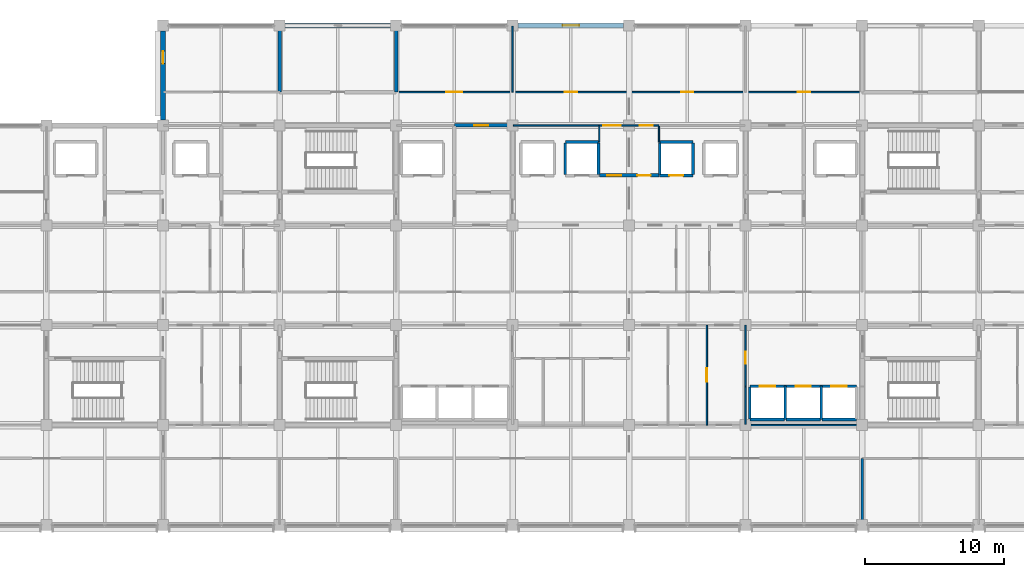
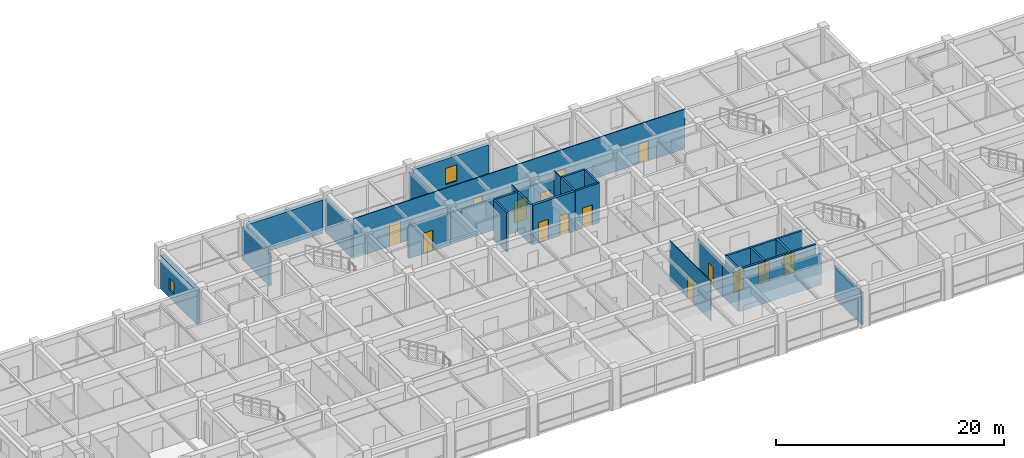
# One storey, part 21 of 30: 32 walls, 15 doors, 2 windows, 17 openings.
"""IFC4 building model written with IfcOpenShell, lengths in metres."""

from ifc_helpers import new_model, si_unit, direction, frame, frame_2d, origin, place, context, subcontext, project, spatial, rectangle, extrude, material, layer, layer_set, type_object, element, fill, save


model = new_model("IFC4")

# Units and contexts
model_context = context("Model", 3, precision=1e-05, world=origin(), true_north=direction((0.0, 1.0)))
body_context = subcontext(model_context, "Body", "Model", "MODEL_VIEW")
ifc_project = project(units=[si_unit("LENGTHUNIT", "METRE"), si_unit("AREAUNIT", "SQUARE_METRE"), si_unit("VOLUMEUNIT", "CUBIC_METRE"), si_unit("PLANEANGLEUNIT", "RADIAN"), si_unit("MASSUNIT", "GRAM", prefix="KILO")], contexts=[model_context])

# Site, building, storey
site_placement = place(None, origin())
site = spatial("IfcSite", under=ifc_project, at=site_placement, CompositionType="ELEMENT")
building_placement = place(site_placement, origin())
building = spatial("IfcBuilding", under=site, at=building_placement, Name="Chengyuan Square Courthouse", CompositionType="ELEMENT")
storey_placement = place(building_placement, frame((0.0, 0.0, 30.60009765625)))
storey = spatial("IfcBuildingStorey", under=building, at=storey_placement, Name="L07", CompositionType="ELEMENT", Elevation=30.60009765625)

# Wall, opening, window
ifc_material_1 = material(Name="Concrete C40", Category="concrete")
ifc_layer_1 = layer(ifc_material_1, 0.35009765625)
ifc_layer_set_1 = layer_set([ifc_layer_1], Name="Concrete C40")
wall_type_1 = type_object("IfcWallType", Name="WL-EW2", PredefinedType="STANDARD", material=ifc_layer_set_1)
wall_1_placement = place(storey_placement, frame((50.39990234375, 108.39501953125, 0.0), z_axis=(0.0, 0.0, 1.0), x_axis=(0.0, 1.0, 0.0)))
wall_1 = element("IfcWall", 1, at=wall_1_placement, inside=storey, type_object=wall_type_1, Name="Exterior Wall WL-L07-E382", PredefinedType="STANDARD", context=body_context, shape_type="SweptSolid", body=[
    extrude(rectangle(XDim=6.409912109375, YDim=0.35009765625, at=frame_2d((3.205078125, 0.0))), origin(), (0.0, 0.0, 1.0), 3.58984375),
])
opening_1_placement = place(wall_1_placement, frame((4.054931640625, 0.0, 0.85009765625)))
opening_1 = element("IfcOpeningElement", 2, at=opening_1_placement, cuts=wall_1, Name="Opening WN-143", PredefinedType="OPENING", context=body_context, shape_type="SweptSolid", body=[
    extrude(rectangle(XDim=0.89990234375, YDim=1.199951171875, at=frame_2d((0.449951171875, 0.60009765625))), frame((0.0, 0.18701171875, 0.0), z_axis=(0.0, -1.0, 0.0), x_axis=(1.0, 0.0, 0.0)), (0.0, 0.0, 1.0), 0.3740234375),
])
ifc_material_2 = material(Name="Thermally Broken Aluminium Triple Low-E Window", Category="aluminium")
window_type_1 = type_object("IfcWindowType", Name="WT-01", PartitioningType="SINGLE_PANEL", PredefinedType="WINDOW", material=ifc_material_2)
window_1_placement = place(opening_1_placement, origin())
window_1 = element("IfcWindow", 3, at=window_1_placement, inside=storey, type_object=window_type_1, Name="Facade Window WN-143", OverallHeight=1.199951171875, OverallWidth=0.89990234375, PartitioningType="SINGLE_PANEL", PredefinedType="WINDOW", context=body_context, shape_type="SweptSolid", body=[
    extrude(rectangle(XDim=0.89990234375, YDim=1.199951171875, at=frame_2d((0.449951171875, 0.60009765625))), frame((0.0, 0.030029296875, 0.0), z_axis=(0.0, -1.0, 0.0), x_axis=(1.0, 0.0, 0.0)), (0.0, 0.0, 1.0), 0.06005859375),
])
fill(opening_1, window_1)

# Wall
wall_2_placement = place(storey_placement, frame((59.195068359375, 115.199951171875, 0.0), z_axis=(0.0, 0.0, 1.0), x_axis=(1.0, 0.0, 0.0)))
element("IfcWall", 4, at=wall_2_placement, inside=storey, type_object=wall_type_1, Name="Exterior Wall WL-L07-E383", PredefinedType="STANDARD", context=body_context, shape_type="SweptSolid", body=[
    extrude(rectangle(XDim=7.60986328125, YDim=0.35009765625, at=frame_2d((3.804931640625, 0.0))), origin(), (0.0, 0.0, 1.0), 3.58984375),
])

# Wall, opening, window
wall_3_placement = place(storey_placement, frame((75.9951171875, 115.199951171875, 0.0), z_axis=(0.0, 0.0, 1.0), x_axis=(1.0, 0.0, 0.0)))
wall_3 = element("IfcWall", 5, at=wall_3_placement, inside=storey, type_object=wall_type_1, Name="Exterior Wall WL-L07-E384", PredefinedType="STANDARD", context=body_context, shape_type="SweptSolid", body=[
    extrude(rectangle(XDim=7.60986328125, YDim=0.35009765625, at=frame_2d((3.804931640625, 0.0))), origin(), (0.0, 0.0, 1.0), 3.58984375),
])
opening_2_placement = place(wall_3_placement, frame((3.205078125, 0.0, 0.85009765625)))
opening_2 = element("IfcOpeningElement", 6, at=opening_2_placement, cuts=wall_3, Name="Opening WN-144", PredefinedType="OPENING", context=body_context, shape_type="SweptSolid", body=[
    extrude(rectangle(XDim=1.199951171875, YDim=1.739990234375, at=frame_2d((0.60009765625, 0.8701171875))), frame((0.0, 0.18701171875, 0.0), z_axis=(0.0, -1.0, 0.0), x_axis=(1.0, 0.0, 0.0)), (0.0, 0.0, 1.0), 0.3740234375),
])
window_type_2 = type_object("IfcWindowType", Name="WT-16", PartitioningType="SINGLE_PANEL", PredefinedType="WINDOW", material=ifc_material_2)
window_2_placement = place(opening_2_placement, origin())
window_2 = element("IfcWindow", 7, at=window_2_placement, inside=storey, type_object=window_type_2, Name="Facade Window WN-144", OverallHeight=1.739990234375, OverallWidth=1.199951171875, PartitioningType="SINGLE_PANEL", PredefinedType="WINDOW", context=body_context, shape_type="SweptSolid", body=[
    extrude(rectangle(XDim=1.199951171875, YDim=1.739990234375, at=frame_2d((0.60009765625, 0.8701171875))), frame((0.0, 0.030029296875, 0.0), z_axis=(0.0, -1.0, 0.0), x_axis=(1.0, 0.0, 0.0)), (0.0, 0.0, 1.0), 0.06005859375),
])
fill(opening_2, window_2)

# Wall, openings, doors
ifc_layer_2 = layer(ifc_material_1, 0.25)
ifc_layer_set_2 = layer_set([ifc_layer_2], Name="Concrete C40")
wall_type_2 = type_object("IfcWallType", Name="WL-FW1", PredefinedType="STANDARD", material=ifc_layer_set_2)
wall_4_placement = place(storey_placement, frame((81.85009765625, 104.39990234375, 0.0), z_axis=(0.0, 0.0, 1.0), x_axis=(1.0, 0.0, 0.0)))
wall_4 = element("IfcWall", 8, at=wall_4_placement, inside=storey, type_object=wall_type_2, Name="Interior Wall WL-L07-I2702", PredefinedType="STANDARD", context=body_context, shape_type="SweptSolid", body=[
    extrude(rectangle(XDim=4.2998046875, YDim=0.25, at=frame_2d((2.14990234375, 0.0))), origin(), (0.0, 0.0, 1.0), 4.239990234375),
])
opening_3_placement = place(wall_4_placement, frame((0.574951171875, 0.0, 0.0)))
opening_3 = element("IfcOpeningElement", 9, at=opening_3_placement, cuts=wall_4, Name="Opening DR-2349", PredefinedType="OPENING", context=body_context, shape_type="SweptSolid", body=[
    extrude(rectangle(XDim=1.0, YDim=2.199951171875, at=frame_2d((0.5, 1.10009765625))), frame((0.0, 0.136962890625, 0.0), z_axis=(0.0, -1.0, 0.0), x_axis=(1.0, 0.0, 0.0)), (0.0, 0.0, 1.0), 0.27392578125),
])
opening_4_placement = place(wall_4_placement, frame((2.75, 0.0, 0.0)))
opening_4 = element("IfcOpeningElement", 10, at=opening_4_placement, cuts=wall_4, Name="Opening DR-2353", PredefinedType="OPENING", context=body_context, shape_type="SweptSolid", body=[
    extrude(rectangle(XDim=0.949951171875, YDim=2.14990234375, at=frame_2d((0.47509765625, 1.074951171875))), frame((0.0, 0.136962890625, 0.0), z_axis=(0.0, -1.0, 0.0), x_axis=(1.0, 0.0, 0.0)), (0.0, 0.0, 1.0), 0.27392578125),
])
ifc_material_3 = material(Name="Steel Q235B Fire Door", Category="steel")
door_type_1 = type_object("IfcDoorType", Name="DT-11", OperationType="NOTDEFINED", PredefinedType="DOOR", material=ifc_material_3)
door_1_placement = place(opening_3_placement, origin())
door_1 = element("IfcDoor", 11, at=door_1_placement, inside=storey, type_object=door_type_1, Name="Interior Door DR-2349", OperationType="SINGLE_SWING_LEFT", OverallHeight=2.199951171875, OverallWidth=1.0, PredefinedType="DOOR", context=body_context, shape_type="SweptSolid", body=[
    extrude(rectangle(XDim=1.0, YDim=2.199951171875, at=frame_2d((0.5, 1.10009765625))), frame((0.0, 0.02490234375, 0.0), z_axis=(0.0, -1.0, 0.0), x_axis=(1.0, 0.0, 0.0)), (0.0, 0.0, 1.0), 0.050048828125),
])
fill(opening_3, door_1)
door_type_2 = type_object("IfcDoorType", Name="DT-12", OperationType="NOTDEFINED", PredefinedType="DOOR", material=ifc_material_3)
door_2_placement = place(opening_4_placement, origin())
door_2 = element("IfcDoor", 12, at=door_2_placement, inside=storey, type_object=door_type_2, Name="Interior Door DR-2353", OperationType="SINGLE_SWING_LEFT", OverallHeight=2.14990234375, OverallWidth=0.949951171875, PredefinedType="DOOR", context=body_context, shape_type="SweptSolid", body=[
    extrude(rectangle(XDim=0.949951171875, YDim=2.14990234375, at=frame_2d((0.47509765625, 1.074951171875))), frame((0.0, 0.02490234375, 0.0), z_axis=(0.0, -1.0, 0.0), x_axis=(1.0, 0.0, 0.0)), (0.0, 0.0, 1.0), 0.050048828125),
])
fill(opening_4, door_2)

# Wall, opening, door
wall_5_placement = place(storey_placement, frame((71.39990234375, 108.0, 0.0), z_axis=(0.0, 0.0, 1.0), x_axis=(1.0, 0.0, 0.0)))
wall_5 = element("IfcWall", 13, at=wall_5_placement, inside=storey, type_object=wall_type_2, Name="Interior Wall WL-L07-I2723", PredefinedType="STANDARD", context=body_context, shape_type="SweptSolid", body=[
    extrude(rectangle(XDim=4.2001953125, YDim=0.25, at=frame_2d((2.10009765625, 0.0))), origin(), (0.0, 0.0, 1.0), 3.389892578125),
])
opening_5_placement = place(wall_5_placement, frame((1.43994140625, 0.0, 0.0)))
opening_5 = element("IfcOpeningElement", 14, at=opening_5_placement, cuts=wall_5, Name="Opening DR-2331", PredefinedType="OPENING", context=body_context, shape_type="SweptSolid", body=[
    extrude(rectangle(XDim=1.0, YDim=2.199951171875, at=frame_2d((0.5, 1.10009765625))), frame((0.0, 0.136962890625, 0.0), z_axis=(0.0, -1.0, 0.0), x_axis=(1.0, 0.0, 0.0)), (0.0, 0.0, 1.0), 0.27392578125),
])
door_3_placement = place(opening_5_placement, origin())
door_3 = element("IfcDoor", 15, at=door_3_placement, inside=storey, type_object=door_type_1, Name="Interior Door DR-2331", OperationType="SINGLE_SWING_RIGHT", OverallHeight=2.199951171875, OverallWidth=1.0, PredefinedType="DOOR", context=body_context, shape_type="SweptSolid", body=[
    extrude(rectangle(XDim=1.0, YDim=2.199951171875, at=frame_2d((0.5, 1.10009765625))), frame((0.0, 0.02490234375, 0.0), z_axis=(0.0, -1.0, 0.0), x_axis=(1.0, 0.0, 0.0)), (0.0, 0.0, 1.0), 0.050048828125),
])
fill(opening_5, door_3)

# Walls
for number, where, z_axis, x_axis, name in (
    (16, (58.800048828125, 110.39990234375, 0.0), (0.0, 0.0, 1.0), (0.0, 1.0, 0.0), "Interior Wall WL-L07-I2772"),
    (17, (67.199951171875, 110.39990234375, 0.0), (0.0, 0.0, 1.0), (0.0, 1.0, 0.0), "Interior Wall WL-L07-I2781"),
):
    element("IfcWall", number, at=place(storey_placement, frame(where, z_axis=z_axis, x_axis=x_axis)), inside=storey, type_object=wall_type_2, Name=name, PredefinedType="STANDARD", context=body_context, shape_type="SweptSolid", body=[
        extrude(rectangle(XDim=4.760009765625, YDim=0.25, at=frame_2d((2.3798828125, 0.0))), origin(), (0.0, 0.0, 1.0), 3.489990234375),
    ])
ifc_material_4 = material(Name="Double-Stud Acoustic Gypsum Courtroom Partition")
ifc_layer_3 = layer(ifc_material_4, 0.179931640625)
ifc_layer_set_3 = layer_set([ifc_layer_3], Name="Double-Stud Acoustic Gypsum Courtroom Partition")
wall_type_3 = type_object("IfcWallType", Name="WL-PT1", PredefinedType="STANDARD", material=ifc_layer_set_3)
wall_6_placement = place(storey_placement, frame((100.800048828125, 79.239990234375, 0.0), z_axis=(0.0, 0.0, 1.0), x_axis=(0.0, 1.0, 0.0)))
element("IfcWall", 18, at=wall_6_placement, inside=storey, type_object=wall_type_3, Name="Interior Wall WL-L07-I2828", PredefinedType="STANDARD", context=body_context, shape_type="SweptSolid", body=[
    extrude(rectangle(XDim=4.760009765625, YDim=0.179931640625, at=frame_2d((2.3798828125, 0.0))), origin(), (0.0, 0.0, 1.0), 3.489990234375),
])
ifc_material_5 = material(Name="Gypsum Plasterboard Acoustic Stud Partition")
ifc_layer_4 = layer(ifc_material_5, 0.10009765625)
ifc_layer_set_4 = layer_set([ifc_layer_4], Name="Gypsum Plasterboard Acoustic Stud Partition")
wall_type_4 = type_object("IfcWallType", Name="WL-PT6", PredefinedType="STANDARD", material=ifc_layer_set_4)
wall_7_placement = place(storey_placement, frame((92.449951171875, 86.39990234375, 0.0), z_axis=(0.0, 0.0, 1.0), x_axis=(1.0, 0.0, 0.0)))
element("IfcWall", 19, at=wall_7_placement, inside=storey, type_object=wall_type_4, Name="Interior Wall WL-L07-I2630", PredefinedType="STANDARD", context=body_context, shape_type="SweptSolid", body=[
    extrude(rectangle(XDim=8.300048828125, YDim=0.10009765625, at=frame_2d((4.14990234375, 0.0))), origin(), (0.0, 0.0, 1.0), 3.389892578125),
])
wall_8_placement = place(storey_placement, frame((75.64990234375, 108.0, 0.0), z_axis=(0.0, 0.0, 1.0), x_axis=(1.0, 0.0, 0.0)))
element("IfcWall", 20, at=wall_8_placement, inside=storey, type_object=wall_type_4, Name="Interior Wall WL-L07-I2724", PredefinedType="STANDARD", context=body_context, shape_type="SweptSolid", body=[
    extrude(rectangle(XDim=6.150146484375, YDim=0.10009765625, at=frame_2d((3.0751953125, 0.0))), origin(), (0.0, 0.0, 1.0), 3.389892578125),
])

# Wall, openings, doors
wall_9_placement = place(storey_placement, frame((81.85009765625, 108.0, 0.0), z_axis=(0.0, 0.0, 1.0), x_axis=(1.0, 0.0, 0.0)))
wall_9 = element("IfcWall", 21, at=wall_9_placement, inside=storey, type_object=wall_type_4, Name="Interior Wall WL-L07-I2725", PredefinedType="STANDARD", context=body_context, shape_type="SweptSolid", body=[
    extrude(rectangle(XDim=4.2998046875, YDim=0.10009765625, at=frame_2d((2.14990234375, 0.0))), origin(), (0.0, 0.0, 1.0), 3.389892578125),
])
opening_6_placement = place(wall_9_placement, frame((0.27490234375, 0.0, 0.0)))
opening_6 = element("IfcOpeningElement", 22, at=opening_6_placement, cuts=wall_9, Name="Opening DR-2469", PredefinedType="OPENING", context=body_context, shape_type="SweptSolid", body=[
    extrude(rectangle(XDim=1.280029296875, YDim=2.35009765625, at=frame_2d((0.64013671875, 1.175048828125))), frame((0.0, 0.06201171875, 0.0), z_axis=(0.0, -1.0, 0.0), x_axis=(1.0, 0.0, 0.0)), (0.0, 0.0, 1.0), 0.1240234375),
])
opening_7_placement = place(wall_9_placement, frame((2.9150390625, 0.0, 0.0)))
opening_7 = element("IfcOpeningElement", 23, at=opening_7_placement, cuts=wall_9, Name="Opening DR-2470", PredefinedType="OPENING", context=body_context, shape_type="SweptSolid", body=[
    extrude(rectangle(XDim=0.93994140625, YDim=2.300048828125, at=frame_2d((0.469970703125, 1.14990234375))), frame((0.0, 0.06201171875, 0.0), z_axis=(0.0, -1.0, 0.0), x_axis=(1.0, 0.0, 0.0)), (0.0, 0.0, 1.0), 0.1240234375),
])
ifc_material_6 = material(Name="Acoustic Solid-Core Timber Door", Category="wood")
door_type_3 = type_object("IfcDoorType", Name="DT-38", OperationType="NOTDEFINED", PredefinedType="DOOR", material=ifc_material_6)
door_4_placement = place(opening_6_placement, origin())
door_4 = element("IfcDoor", 24, at=door_4_placement, inside=storey, type_object=door_type_3, Name="Interior Door DR-2469", OperationType="SINGLE_SWING_LEFT", OverallHeight=2.35009765625, OverallWidth=1.280029296875, PredefinedType="DOOR", context=body_context, shape_type="SweptSolid", body=[
    extrude(rectangle(XDim=1.280029296875, YDim=2.35009765625, at=frame_2d((0.64013671875, 1.175048828125))), frame((0.0, 0.02490234375, 0.0), z_axis=(0.0, -1.0, 0.0), x_axis=(1.0, 0.0, 0.0)), (0.0, 0.0, 1.0), 0.050048828125),
])
fill(opening_6, door_4)
door_type_4 = type_object("IfcDoorType", Name="DT-39", OperationType="NOTDEFINED", PredefinedType="DOOR", material=ifc_material_6)
door_5_placement = place(opening_7_placement, origin())
door_5 = element("IfcDoor", 25, at=door_5_placement, inside=storey, type_object=door_type_4, Name="Interior Door DR-2470", OperationType="SINGLE_SWING_RIGHT", OverallHeight=2.300048828125, OverallWidth=0.93994140625, PredefinedType="DOOR", context=body_context, shape_type="SweptSolid", body=[
    extrude(rectangle(XDim=0.93994140625, YDim=2.300048828125, at=frame_2d((0.469970703125, 1.14990234375))), frame((0.0, 0.02490234375, 0.0), z_axis=(0.0, -1.0, 0.0), x_axis=(1.0, 0.0, 0.0)), (0.0, 0.0, 1.0), 0.050048828125),
])
fill(opening_7, door_5)

wall_10_placement = place(storey_placement, frame((67.199951171875, 110.39990234375, 0.0), z_axis=(0.0, 0.0, 1.0), x_axis=(1.0, 0.0, 0.0)))
wall_10 = element("IfcWall", 26, at=wall_10_placement, inside=storey, type_object=wall_type_4, Name="Interior Wall WL-L07-I2734", PredefinedType="STANDARD", context=body_context, shape_type="SweptSolid", body=[
    extrude(rectangle(XDim=33.60009765625, YDim=0.10009765625, at=frame_2d((16.800048828125, 0.0))), origin(), (0.0, 0.0, 1.0), 4.239990234375),
])
opening_8_placement = place(wall_10_placement, frame((3.6298828125, 0.0, 0.0)))
opening_8 = element("IfcOpeningElement", 27, at=opening_8_placement, cuts=wall_10, Name="Opening DR-2474", PredefinedType="OPENING", context=body_context, shape_type="SweptSolid", body=[
    extrude(rectangle(XDim=1.139892578125, YDim=2.39990234375, at=frame_2d((0.56982421875, 1.199951171875))), frame((0.0, 0.06201171875, 0.0), z_axis=(0.0, -1.0, 0.0), x_axis=(1.0, 0.0, 0.0)), (0.0, 0.0, 1.0), 0.1240234375),
])
opening_9_placement = place(wall_10_placement, frame((12.14990234375, 0.0, 0.0)))
opening_9 = element("IfcOpeningElement", 28, at=opening_9_placement, cuts=wall_10, Name="Opening DR-2475", PredefinedType="OPENING", context=body_context, shape_type="SweptSolid", body=[
    extrude(rectangle(XDim=0.89990234375, YDim=2.14990234375, at=frame_2d((0.449951171875, 1.074951171875))), frame((0.0, 0.06201171875, 0.0), z_axis=(0.0, -1.0, 0.0), x_axis=(1.0, 0.0, 0.0)), (0.0, 0.0, 1.0), 0.1240234375),
])
opening_10_placement = place(wall_10_placement, frame((20.570068359375, 0.0, 0.0)))
opening_10 = element("IfcOpeningElement", 29, at=opening_10_placement, cuts=wall_10, Name="Opening DR-2476", PredefinedType="OPENING", context=body_context, shape_type="SweptSolid", body=[
    extrude(rectangle(XDim=0.860107421875, YDim=2.10009765625, at=frame_2d((0.43017578125, 1.050048828125))), frame((0.0, 0.06201171875, 0.0), z_axis=(0.0, -1.0, 0.0), x_axis=(1.0, 0.0, 0.0)), (0.0, 0.0, 1.0), 0.1240234375),
])
opening_11_placement = place(wall_10_placement, frame((28.93994140625, 0.0, 0.0)))
opening_11 = element("IfcOpeningElement", 30, at=opening_11_placement, cuts=wall_10, Name="Opening DR-2477", PredefinedType="OPENING", context=body_context, shape_type="SweptSolid", body=[
    extrude(rectangle(XDim=0.919921875, YDim=2.14990234375, at=frame_2d((0.4599609375, 1.074951171875))), frame((0.0, 0.06201171875, 0.0), z_axis=(0.0, -1.0, 0.0), x_axis=(1.0, 0.0, 0.0)), (0.0, 0.0, 1.0), 0.1240234375),
])
door_type_5 = type_object("IfcDoorType", Name="DT-27", OperationType="NOTDEFINED", PredefinedType="DOOR", material=ifc_material_6)
door_6_placement = place(opening_9_placement, origin())
door_6 = element("IfcDoor", 31, at=door_6_placement, inside=storey, type_object=door_type_5, Name="Interior Door DR-2475", OperationType="SINGLE_SWING_LEFT", OverallHeight=2.14990234375, OverallWidth=0.89990234375, PredefinedType="DOOR", context=body_context, shape_type="SweptSolid", body=[
    extrude(rectangle(XDim=0.89990234375, YDim=2.14990234375, at=frame_2d((0.449951171875, 1.074951171875))), frame((0.0, 0.02490234375, 0.0), z_axis=(0.0, -1.0, 0.0), x_axis=(1.0, 0.0, 0.0)), (0.0, 0.0, 1.0), 0.050048828125),
])
fill(opening_9, door_6)
door_type_6 = type_object("IfcDoorType", Name="DT-28", OperationType="NOTDEFINED", PredefinedType="DOOR", material=ifc_material_6)
door_7_placement = place(opening_10_placement, origin())
door_7 = element("IfcDoor", 32, at=door_7_placement, inside=storey, type_object=door_type_6, Name="Interior Door DR-2476", OperationType="SINGLE_SWING_RIGHT", OverallHeight=2.10009765625, OverallWidth=0.860107421875, PredefinedType="DOOR", context=body_context, shape_type="SweptSolid", body=[
    extrude(rectangle(XDim=0.860107421875, YDim=2.10009765625, at=frame_2d((0.43017578125, 1.050048828125))), frame((0.0, 0.02490234375, 0.0), z_axis=(0.0, -1.0, 0.0), x_axis=(1.0, 0.0, 0.0)), (0.0, 0.0, 1.0), 0.050048828125),
])
fill(opening_10, door_7)
door_type_7 = type_object("IfcDoorType", Name="DT-29", OperationType="NOTDEFINED", PredefinedType="DOOR", material=ifc_material_6)
door_8_placement = place(opening_11_placement, origin())
door_8 = element("IfcDoor", 33, at=door_8_placement, inside=storey, type_object=door_type_7, Name="Interior Door DR-2477", OperationType="SINGLE_SWING_LEFT", OverallHeight=2.14990234375, OverallWidth=0.919921875, PredefinedType="DOOR", context=body_context, shape_type="SweptSolid", body=[
    extrude(rectangle(XDim=0.919921875, YDim=2.14990234375, at=frame_2d((0.4599609375, 1.074951171875))), frame((0.0, 0.02490234375, 0.0), z_axis=(0.0, -1.0, 0.0), x_axis=(1.0, 0.0, 0.0)), (0.0, 0.0, 1.0), 0.050048828125),
])
fill(opening_11, door_8)
door_type_8 = type_object("IfcDoorType", Name="DT-43", OperationType="NOTDEFINED", PredefinedType="DOOR", material=ifc_material_6)
door_9_placement = place(opening_8_placement, origin())
door_9 = element("IfcDoor", 34, at=door_9_placement, inside=storey, type_object=door_type_8, Name="Interior Door DR-2474", OperationType="SINGLE_SWING_RIGHT", OverallHeight=2.39990234375, OverallWidth=1.139892578125, PredefinedType="DOOR", context=body_context, shape_type="SweptSolid", body=[
    extrude(rectangle(XDim=1.139892578125, YDim=2.39990234375, at=frame_2d((0.56982421875, 1.199951171875))), frame((0.0, 0.02490234375, 0.0), z_axis=(0.0, -1.0, 0.0), x_axis=(1.0, 0.0, 0.0)), (0.0, 0.0, 1.0), 0.050048828125),
])
fill(opening_8, door_9)

# Walls
wall_11_placement = place(storey_placement, frame((75.60009765625, 110.39990234375, 0.0), z_axis=(0.0, 0.0, 1.0), x_axis=(0.0, 1.0, 0.0)))
element("IfcWall", 35, at=wall_11_placement, inside=storey, type_object=wall_type_4, Name="Interior Wall WL-L07-I2796", PredefinedType="STANDARD", context=body_context, shape_type="SweptSolid", body=[
    extrude(rectangle(XDim=4.760009765625, YDim=0.10009765625, at=frame_2d((2.3798828125, 0.0))), origin(), (0.0, 0.0, 1.0), 3.489990234375),
])
for number, where, z_axis, x_axis, name in (
    (36, (81.85009765625, 106.800048828125, 0.0), (0.0, 0.0, 1.0), (0.0, 1.0, 0.0), "Interior Wall WL-L07-I2803"),
    (37, (86.14990234375, 106.800048828125, 0.0), (0.0, 0.0, 1.0), (0.0, 1.0, 0.0), "Interior Wall WL-L07-I2805"),
):
    element("IfcWall", number, at=place(storey_placement, frame(where, z_axis=z_axis, x_axis=x_axis)), inside=storey, type_object=wall_type_4, Name=name, PredefinedType="STANDARD", context=body_context, shape_type="SweptSolid", body=[
        extrude(rectangle(XDim=1.14990234375, YDim=0.10009765625, at=frame_2d((0.574951171875, 0.0))), origin(), (0.0, 0.0, 1.0), 4.239990234375),
    ])

# Wall, opening, door
wall_12_placement = place(storey_placement, frame((89.60009765625, 86.39990234375, 0.0), z_axis=(0.0, 0.0, 1.0), x_axis=(0.0, 1.0, 0.0)))
wall_12 = element("IfcWall", 38, at=wall_12_placement, inside=storey, type_object=wall_type_4, Name="Interior Wall WL-L07-I2811", PredefinedType="STANDARD", context=body_context, shape_type="SweptSolid", body=[
    extrude(rectangle(XDim=7.2001953125, YDim=0.10009765625, at=frame_2d((3.60009765625, 0.0))), origin(), (0.0, 0.0, 1.0), 4.239990234375),
])
opening_12_placement = place(wall_12_placement, frame((3.110107421875, 0.0, 0.0)))
opening_12 = element("IfcOpeningElement", 39, at=opening_12_placement, cuts=wall_12, Name="Opening DR-2454", PredefinedType="OPENING", context=body_context, shape_type="SweptSolid", body=[
    extrude(rectangle(XDim=0.97998046875, YDim=2.35009765625, at=frame_2d((0.489990234375, 1.175048828125))), frame((0.0, 0.06201171875, 0.0), z_axis=(0.0, -1.0, 0.0), x_axis=(1.0, 0.0, 0.0)), (0.0, 0.0, 1.0), 0.1240234375),
])
door_type_9 = type_object("IfcDoorType", Name="DT-40", OperationType="NOTDEFINED", PredefinedType="DOOR", material=ifc_material_6)
door_10_placement = place(opening_12_placement, origin())
door_10 = element("IfcDoor", 40, at=door_10_placement, inside=storey, type_object=door_type_9, Name="Interior Door DR-2454", OperationType="SINGLE_SWING_RIGHT", OverallHeight=2.35009765625, OverallWidth=0.97998046875, PredefinedType="DOOR", context=body_context, shape_type="SweptSolid", body=[
    extrude(rectangle(XDim=0.97998046875, YDim=2.35009765625, at=frame_2d((0.489990234375, 1.175048828125))), frame((0.0, 0.02490234375, 0.0), z_axis=(0.0, -1.0, 0.0), x_axis=(1.0, 0.0, 0.0)), (0.0, 0.0, 1.0), 0.050048828125),
])
fill(opening_12, door_10)

# Wall
wall_13_placement = place(storey_placement, frame((92.39990234375, 86.449951171875, 0.0), z_axis=(0.0, 0.0, 1.0), x_axis=(0.0, 1.0, 0.0)))
element("IfcWall", 41, at=wall_13_placement, inside=storey, type_object=wall_type_4, Name="Interior Wall WL-L07-I2814", PredefinedType="STANDARD", context=body_context, shape_type="SweptSolid", body=[
    extrude(rectangle(XDim=2.699951171875, YDim=0.10009765625, at=frame_2d((1.35009765625, 0.0))), origin(), (0.0, 0.0, 1.0), 3.489990234375),
])

# Wall, opening, door
wall_14_placement = place(storey_placement, frame((92.39990234375, 89.199951171875, 0.0), z_axis=(0.0, 0.0, 1.0), x_axis=(0.0, 1.0, 0.0)))
wall_14 = element("IfcWall", 42, at=wall_14_placement, inside=storey, type_object=wall_type_4, Name="Interior Wall WL-L07-I2815", PredefinedType="STANDARD", context=body_context, shape_type="SweptSolid", body=[
    extrude(rectangle(XDim=4.400146484375, YDim=0.10009765625, at=frame_2d((2.2001953125, 0.0))), origin(), (0.0, 0.0, 1.0), 3.489990234375),
])
opening_13_placement = place(wall_14_placement, frame((1.610107421875, 0.0, 0.0)))
opening_13 = element("IfcOpeningElement", 43, at=opening_13_placement, cuts=wall_14, Name="Opening DR-2357", PredefinedType="OPENING", context=body_context, shape_type="SweptSolid", body=[
    extrude(rectangle(XDim=0.860107421875, YDim=2.10009765625, at=frame_2d((0.43017578125, 1.050048828125))), frame((0.0, 0.06201171875, 0.0), z_axis=(0.0, -1.0, 0.0), x_axis=(1.0, 0.0, 0.0)), (0.0, 0.0, 1.0), 0.1240234375),
])
door_11_placement = place(opening_13_placement, origin())
door_11 = element("IfcDoor", 44, at=door_11_placement, inside=storey, type_object=door_type_6, Name="Interior Door DR-2357", OperationType="SINGLE_SWING_LEFT", OverallHeight=2.10009765625, OverallWidth=0.860107421875, PredefinedType="DOOR", context=body_context, shape_type="SweptSolid", body=[
    extrude(rectangle(XDim=0.860107421875, YDim=2.10009765625, at=frame_2d((0.43017578125, 1.050048828125))), frame((0.0, 0.02490234375, 0.0), z_axis=(0.0, -1.0, 0.0), x_axis=(1.0, 0.0, 0.0)), (0.0, 0.0, 1.0), 0.050048828125),
])
fill(opening_13, door_11)

# Walls
ifc_material_7 = material(Name="Reinforced Masonry Shaft Enclosure", Category="masonry")
ifc_layer_5 = layer(ifc_material_7, 0.199951171875)
ifc_layer_set_5 = layer_set([ifc_layer_5], Name="Reinforced Masonry Shaft Enclosure")
wall_type_5 = type_object("IfcWallType", Name="WL-SH1", PredefinedType="STANDARD", material=ifc_layer_set_5)
for number, where, z_axis, x_axis, name in (
    (45, (92.699951171875, 86.800048828125, 0.0), (0.0, 0.0, 1.0), (1.0, 0.0, 0.0), "Interior Wall WL-L07-I2638"),
    (46, (95.300048828125, 86.800048828125, 0.0), (0.0, 0.0, 1.0), (1.0, 0.0, 0.0), "Interior Wall WL-L07-I2639"),
    (47, (97.89990234375, 86.800048828125, 0.0), (0.0, 0.0, 1.0), (1.0, 0.0, 0.0), "Interior Wall WL-L07-I2640"),
):
    element("IfcWall", number, at=place(storey_placement, frame(where, z_axis=z_axis, x_axis=x_axis)), inside=storey, type_object=wall_type_5, Name=name, PredefinedType="STANDARD", context=body_context, shape_type="SweptSolid", body=[
        extrude(rectangle(XDim=2.5, YDim=0.199951171875, at=frame_2d((1.25, 0.0))), origin(), (0.0, 0.0, 1.0), 4.239990234375),
    ])

# Wall, openings, doors
wall_15_placement = place(storey_placement, frame((92.699951171875, 89.199951171875, 0.0), z_axis=(0.0, 0.0, 1.0), x_axis=(1.0, 0.0, 0.0)))
wall_15 = element("IfcWall", 48, at=wall_15_placement, inside=storey, type_object=wall_type_5, Name="Interior Wall WL-L07-I2642", PredefinedType="STANDARD", context=body_context, shape_type="SweptSolid", body=[
    extrude(rectangle(XDim=7.699951171875, YDim=0.199951171875, at=frame_2d((3.85009765625, 0.0))), origin(), (0.0, 0.0, 1.0), 4.239990234375),
])
opening_14_placement = place(wall_15_placement, frame((0.72509765625, 0.0, 0.0)))
opening_14 = element("IfcOpeningElement", 49, at=opening_14_placement, cuts=wall_15, Name="Opening LD-128", PredefinedType="OPENING", context=body_context, shape_type="SweptSolid", body=[
    extrude(rectangle(XDim=1.10009765625, YDim=2.14990234375, at=frame_2d((0.550048828125, 1.074951171875))), frame((0.0, 0.112060546875, 0.0), z_axis=(0.0, -1.0, 0.0), x_axis=(1.0, 0.0, 0.0)), (0.0, 0.0, 1.0), 0.223876953125),
])
opening_15_placement = place(wall_15_placement, frame((3.300048828125, 0.0, 0.0)))
opening_15 = element("IfcOpeningElement", 50, at=opening_15_placement, cuts=wall_15, Name="Opening LD-129", PredefinedType="OPENING", context=body_context, shape_type="SweptSolid", body=[
    extrude(rectangle(XDim=1.10009765625, YDim=2.14990234375, at=frame_2d((0.550048828125, 1.074951171875))), frame((0.0, 0.112060546875, 0.0), z_axis=(0.0, -1.0, 0.0), x_axis=(1.0, 0.0, 0.0)), (0.0, 0.0, 1.0), 0.223876953125),
])
opening_16_placement = place(wall_15_placement, frame((5.875, 0.0, 0.0)))
opening_16 = element("IfcOpeningElement", 51, at=opening_16_placement, cuts=wall_15, Name="Opening LD-130", PredefinedType="OPENING", context=body_context, shape_type="SweptSolid", body=[
    extrude(rectangle(XDim=1.10009765625, YDim=2.14990234375, at=frame_2d((0.550048828125, 1.074951171875))), frame((0.0, 0.112060546875, 0.0), z_axis=(0.0, -1.0, 0.0), x_axis=(1.0, 0.0, 0.0)), (0.0, 0.0, 1.0), 0.223876953125),
])
ifc_material_8 = material(Name="Stainless Steel S30408 Lift Landing Door", Category="steel")
door_type_10 = type_object("IfcDoorType", Name="DT-06", OperationType="DOUBLE_DOOR_SLIDING", PredefinedType="DOOR", material=ifc_material_8)
door_12_placement = place(opening_14_placement, origin())
door_12 = element("IfcDoor", 52, at=door_12_placement, inside=storey, type_object=door_type_10, Name="Lift Landing Door LF-P4 L07", OperationType="DOUBLE_DOOR_SLIDING", OverallHeight=2.14990234375, OverallWidth=1.10009765625, PredefinedType="DOOR", context=body_context, shape_type="SweptSolid", body=[
    extrude(rectangle(XDim=1.10009765625, YDim=2.14990234375, at=frame_2d((0.550048828125, 1.074951171875))), frame((0.0, 0.02490234375, 0.0), z_axis=(0.0, -1.0, 0.0), x_axis=(1.0, 0.0, 0.0)), (0.0, 0.0, 1.0), 0.050048828125),
])
fill(opening_14, door_12)
door_13_placement = place(opening_15_placement, origin())
door_13 = element("IfcDoor", 53, at=door_13_placement, inside=storey, type_object=door_type_10, Name="Lift Landing Door LF-P5 L07", OperationType="DOUBLE_DOOR_SLIDING", OverallHeight=2.14990234375, OverallWidth=1.10009765625, PredefinedType="DOOR", context=body_context, shape_type="SweptSolid", body=[
    extrude(rectangle(XDim=1.10009765625, YDim=2.14990234375, at=frame_2d((0.550048828125, 1.074951171875))), frame((0.0, 0.02490234375, 0.0), z_axis=(0.0, -1.0, 0.0), x_axis=(1.0, 0.0, 0.0)), (0.0, 0.0, 1.0), 0.050048828125),
])
fill(opening_15, door_13)
door_14_placement = place(opening_16_placement, origin())
door_14 = element("IfcDoor", 54, at=door_14_placement, inside=storey, type_object=door_type_10, Name="Lift Landing Door LF-P6 L07", OperationType="DOUBLE_DOOR_SLIDING", OverallHeight=2.14990234375, OverallWidth=1.10009765625, PredefinedType="DOOR", context=body_context, shape_type="SweptSolid", body=[
    extrude(rectangle(XDim=1.10009765625, YDim=2.14990234375, at=frame_2d((0.550048828125, 1.074951171875))), frame((0.0, 0.02490234375, 0.0), z_axis=(0.0, -1.0, 0.0), x_axis=(1.0, 0.0, 0.0)), (0.0, 0.0, 1.0), 0.050048828125),
])
fill(opening_16, door_14)

# Wall, opening, door
wall_16_placement = place(storey_placement, frame((86.199951171875, 104.39990234375, 0.0), z_axis=(0.0, 0.0, 1.0), x_axis=(1.0, 0.0, 0.0)))
wall_16 = element("IfcWall", 55, at=wall_16_placement, inside=storey, type_object=wall_type_5, Name="Interior Wall WL-L07-I2703", PredefinedType="STANDARD", context=body_context, shape_type="SweptSolid", body=[
    extrude(rectangle(XDim=2.400146484375, YDim=0.199951171875, at=frame_2d((1.2001953125, 0.0))), origin(), (0.0, 0.0, 1.0), 4.239990234375),
])
opening_17_placement = place(wall_16_placement, frame((0.699951171875, 0.0, 0.0)))
opening_17 = element("IfcOpeningElement", 56, at=opening_17_placement, cuts=wall_16, Name="Opening LD-123", PredefinedType="OPENING", context=body_context, shape_type="SweptSolid", body=[
    extrude(rectangle(XDim=1.0, YDim=2.14990234375, at=frame_2d((0.5, 1.074951171875))), frame((0.0, 0.112060546875, 0.0), z_axis=(0.0, -1.0, 0.0), x_axis=(1.0, 0.0, 0.0)), (0.0, 0.0, 1.0), 0.223876953125),
])
door_type_11 = type_object("IfcDoorType", Name="DT-07", OperationType="DOUBLE_DOOR_SLIDING", PredefinedType="DOOR", material=ifc_material_8)
door_15_placement = place(opening_17_placement, origin())
door_15 = element("IfcDoor", 57, at=door_15_placement, inside=storey, type_object=door_type_11, Name="Lift Landing Door LF-J3 L07", OperationType="DOUBLE_DOOR_SLIDING", OverallHeight=2.14990234375, OverallWidth=1.0, PredefinedType="DOOR", context=body_context, shape_type="SweptSolid", body=[
    extrude(rectangle(XDim=1.0, YDim=2.14990234375, at=frame_2d((0.5, 1.074951171875))), frame((0.0, 0.02490234375, 0.0), z_axis=(0.0, -1.0, 0.0), x_axis=(1.0, 0.0, 0.0)), (0.0, 0.0, 1.0), 0.050048828125),
])
fill(opening_17, door_15)

# Walls
for number, where, z_axis, x_axis, name in (
    (58, (79.39990234375, 106.800048828125, 0.0), (0.0, 0.0, 1.0), (1.0, 0.0, 0.0), "Interior Wall WL-L07-I2713"),
    (59, (86.199951171875, 106.800048828125, 0.0), (0.0, 0.0, 1.0), (1.0, 0.0, 0.0), "Interior Wall WL-L07-I2714"),
):
    element("IfcWall", number, at=place(storey_placement, frame(where, z_axis=z_axis, x_axis=x_axis)), inside=storey, type_object=wall_type_5, Name=name, PredefinedType="STANDARD", context=body_context, shape_type="SweptSolid", body=[
        extrude(rectangle(XDim=2.400146484375, YDim=0.199951171875, at=frame_2d((1.2001953125, 0.0))), origin(), (0.0, 0.0, 1.0), 4.239990234375),
    ])
for number, where, z_axis, x_axis, name in (
    (60, (79.39990234375, 104.449951171875, 0.0), (0.0, 0.0, 1.0), (0.0, 1.0, 0.0), "Interior Wall WL-L07-I2800"),
    (61, (81.800048828125, 104.449951171875, 0.0), (0.0, 0.0, 1.0), (0.0, 1.0, 0.0), "Interior Wall WL-L07-I2802"),
    (62, (86.199951171875, 104.449951171875, 0.0), (0.0, 0.0, 1.0), (0.0, 1.0, 0.0), "Interior Wall WL-L07-I2806"),
    (63, (88.60009765625, 104.449951171875, 0.0), (0.0, 0.0, 1.0), (0.0, 1.0, 0.0), "Interior Wall WL-L07-I2809"),
):
    element("IfcWall", number, at=place(storey_placement, frame(where, z_axis=z_axis, x_axis=x_axis)), inside=storey, type_object=wall_type_5, Name=name, PredefinedType="STANDARD", context=body_context, shape_type="SweptSolid", body=[
        extrude(rectangle(XDim=2.300048828125, YDim=0.199951171875, at=frame_2d((1.14990234375, 0.0))), origin(), (0.0, 0.0, 1.0), 4.239990234375),
    ])
wall_17_placement = place(storey_placement, frame((92.699951171875, 86.85009765625, 0.0), z_axis=(0.0, 0.0, 1.0), x_axis=(0.0, 1.0, 0.0)))
element("IfcWall", 64, at=wall_17_placement, inside=storey, type_object=wall_type_5, Name="Interior Wall WL-L07-I2820", PredefinedType="STANDARD", context=body_context, shape_type="SweptSolid", body=[
    extrude(rectangle(XDim=2.2998046875, YDim=0.199951171875, at=frame_2d((1.14990234375, 0.0))), origin(), (0.0, 0.0, 1.0), 4.239990234375),
])
for number, where, z_axis, x_axis, name in (
    (65, (95.25, 86.800048828125, 0.0), (0.0, 0.0, 1.0), (0.0, 1.0, 0.0), "Interior Wall WL-L07-I2821"),
    (66, (97.85009765625, 86.800048828125, 0.0), (0.0, 0.0, 1.0), (0.0, 1.0, 0.0), "Interior Wall WL-L07-I2825"),
):
    element("IfcWall", number, at=place(storey_placement, frame(where, z_axis=z_axis, x_axis=x_axis)), inside=storey, type_object=wall_type_5, Name=name, PredefinedType="STANDARD", context=body_context, shape_type="SweptSolid", body=[
        extrude(rectangle(XDim=2.39990234375, YDim=0.199951171875, at=frame_2d((1.199951171875, 0.0))), origin(), (0.0, 0.0, 1.0), 4.239990234375),
    ])

save(model, "model.ifc")
